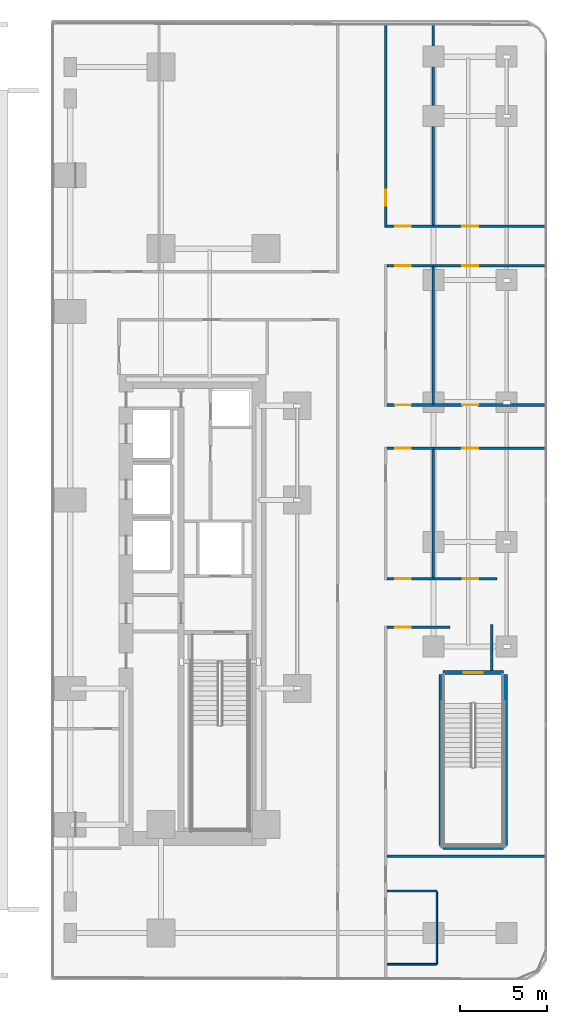
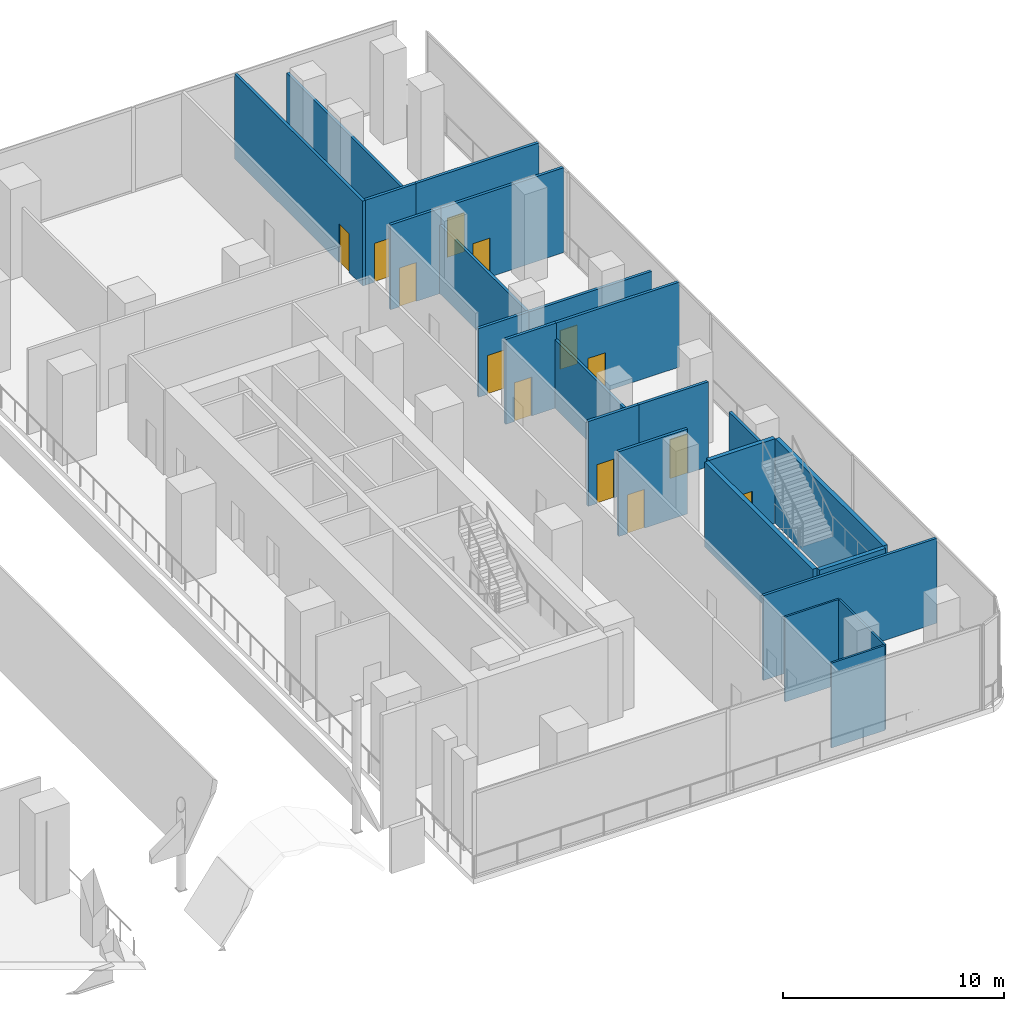
# One storey, part 12 of 31: 24 walls, 13 doors, 13 openings.
"""IFC4 building model written with IfcOpenShell, lengths in metres."""

from ifc_helpers import new_model, si_unit, direction, frame, frame_2d, origin, place, context, subcontext, project, spatial, rectangle, extrude, material, layer, layer_set, type_object, element, fill, save


model = new_model("IFC4")

# Units and contexts
model_context = context("Model", 3, precision=1e-05, world=origin(), true_north=direction((0.0, 1.0)))
body_context = subcontext(model_context, "Body", "Model", "MODEL_VIEW")
ifc_project = project(units=[si_unit("LENGTHUNIT", "METRE"), si_unit("AREAUNIT", "SQUARE_METRE"), si_unit("VOLUMEUNIT", "CUBIC_METRE"), si_unit("PLANEANGLEUNIT", "RADIAN"), si_unit("MASSUNIT", "GRAM", prefix="KILO")], contexts=[model_context])

# Site, building, storey
site_placement = place(None, origin())
site = spatial("IfcSite", under=ifc_project, at=site_placement, CompositionType="ELEMENT")
building_placement = place(site_placement, origin())
building = spatial("IfcBuilding", under=site, at=building_placement, Name="Khairoan Windgate Tower", CompositionType="ELEMENT")
storey_placement = place(building_placement, frame((0.0, 0.0, 11.0)))
storey = spatial("IfcBuildingStorey", under=building, at=storey_placement, Name="L03", CompositionType="ELEMENT", Elevation=11.0)

# Walls
ifc_material_1 = material(Name="Moisture-Resistant Gypsum Partition", Category="gypsum")
ifc_layer_1 = layer(ifc_material_1, 0.10009765625, Name="Moisture-Resistant Gypsum Partition")
ifc_layer_set_1 = layer_set([ifc_layer_1], Name="Moisture-Resistant Gypsum Partition")
wall_type_1 = type_object("IfcWallType", Name="Bathroom Wet-Area Partition Wall", PredefinedType="PARTITIONING", material=ifc_layer_set_1)
wall_1_placement = place(storey_placement, frame((27.35498046875, -22.39990234375, 0.0), z_axis=(0.0, 0.0, 1.0), x_axis=(1.0, 0.0, 0.0)))
element("IfcWall", 1, at=wall_1_placement, inside=storey, type_object=wall_type_1, Name="L03 Wet Room Side Wall 078", PredefinedType="PARTITIONING", context=body_context, shape_type="SweptSolid", body=[
    extrude(rectangle(XDim=2.844970703125, YDim=0.10009765625, at=frame_2d((1.42236328125, 0.0))), origin(), (0.0, 0.0, 1.0), 4.699951171875),
])
wall_2_placement = place(storey_placement, frame((30.199951171875, -22.449951171875, 0.0), z_axis=(0.0, 0.0, 1.0), x_axis=(0.0, -1.0, 0.0)))
element("IfcWall", 2, at=wall_2_placement, inside=storey, type_object=wall_type_1, Name="L03 Wet Room Side Wall 079", PredefinedType="PARTITIONING", context=body_context, shape_type="SweptSolid", body=[
    extrude(rectangle(XDim=4.150146484375, YDim=0.10009765625, at=frame_2d((2.0751953125, 0.0))), origin(), (0.0, 0.0, 1.0), 4.699951171875),
])
wall_3_placement = place(storey_placement, frame((30.14990234375, -26.60009765625, 0.0), z_axis=(0.0, 0.0, 1.0), x_axis=(-1.0, 0.0, 0.0)))
element("IfcWall", 3, at=wall_3_placement, inside=storey, type_object=wall_type_1, Name="L03 Wet Room Side Wall 080", PredefinedType="PARTITIONING", context=body_context, shape_type="SweptSolid", body=[
    extrude(rectangle(XDim=2.794921875, YDim=0.10009765625, at=frame_2d((1.3974609375, 0.0))), origin(), (0.0, 0.0, 1.0), 4.699951171875),
])
ifc_material_2 = material(Name="Acoustic Fire-Rated Gypsum Partition", Category="gypsum")
ifc_layer_2 = layer(ifc_material_2, 0.139892578125, Name="Acoustic Fire-Rated Gypsum Partition")
ifc_layer_set_2 = layer_set([ifc_layer_2], Name="Acoustic Fire-Rated Gypsum Partition")
wall_type_2 = type_object("IfcWallType", Name="Inter-Tenancy Compartment Wall", PredefinedType="PARTITIONING", material=ifc_layer_set_2)
wall_4_placement = place(storey_placement, frame((30.0, -4.445068359375, 0.0), z_axis=(0.0, 0.0, 1.0), x_axis=(0.0, 1.0, 0.0)))
element("IfcWall", 4, at=wall_4_placement, inside=storey, type_object=wall_type_2, Name="L03 Interior Partition 063", PredefinedType="PARTITIONING", context=body_context, shape_type="SweptSolid", body=[
    extrude(rectangle(XDim=7.330078125, YDim=0.139892578125, at=frame_2d((3.6650390625, 0.0))), origin(), (0.0, 0.0, 1.0), 3.800048828125),
])
wall_5_placement = place(storey_placement, frame((30.0, 5.514892578125, 0.0), z_axis=(0.0, 0.0, 1.0), x_axis=(0.0, 1.0, 0.0)))
element("IfcWall", 5, at=wall_5_placement, inside=storey, type_object=wall_type_2, Name="L03 Interior Partition 064", PredefinedType="PARTITIONING", context=body_context, shape_type="SweptSolid", body=[
    extrude(rectangle(XDim=7.830078125, YDim=0.139892578125, at=frame_2d((3.9150390625, 0.0))), origin(), (0.0, 0.0, 1.0), 3.800048828125),
])
wall_6_placement = place(storey_placement, frame((30.0, 15.7548828125, 0.0), z_axis=(0.0, 0.0, 1.0), x_axis=(0.0, 1.0, 0.0)))
element("IfcWall", 6, at=wall_6_placement, inside=storey, type_object=wall_type_2, Name="L03 Interior Partition 065", PredefinedType="PARTITIONING", context=body_context, shape_type="SweptSolid", body=[
    extrude(rectangle(XDim=11.485595703125, YDim=0.139892578125, at=frame_2d((5.74267578125, 0.0))), origin(), (0.0, 0.0, 1.0), 3.800048828125),
])
wall_7_placement = place(storey_placement, frame((27.35498046875, -20.419921875, 0.0), z_axis=(0.0, 0.0, 1.0), x_axis=(1.0, 0.0, 0.0)))
element("IfcWall", 7, at=wall_7_placement, inside=storey, type_object=wall_type_2, Name="L03 Interior Partition 073", PredefinedType="PARTITIONING", context=body_context, shape_type="SweptSolid", body=[
    extrude(rectangle(XDim=9.090087890625, YDim=0.139892578125, at=frame_2d((4.544921875, 0.0))), origin(), (0.0, 0.0, 1.0), 4.699951171875),
])

# Wall, opening, door
ifc_material_3 = material(Name="Acoustic Fire-Rated Gypsum Partition", Category="gypsum")
ifc_layer_3 = layer(ifc_material_3, 0.14990234375, Name="Acoustic Fire-Rated Gypsum Partition")
ifc_layer_set_3 = layer_set([ifc_layer_3], Name="Acoustic Fire-Rated Gypsum Partition")
wall_type_3 = type_object("IfcWallType", Name="Rated Corridor Partition Wall", PredefinedType="PARTITIONING", material=ifc_layer_set_3)
wall_8_placement = place(storey_placement, frame((27.280029296875, 15.60498046875, 0.0), z_axis=(0.0, 0.0, 1.0), x_axis=(0.0, 1.0, 0.0)))
wall_8 = element("IfcWall", 8, at=wall_8_placement, inside=storey, type_object=wall_type_3, Name="L03 Interior Partition 046", PredefinedType="PARTITIONING", context=body_context, shape_type="SweptSolid", body=[
    extrude(rectangle(XDim=11.64404296875, YDim=0.14990234375, at=frame_2d((5.822021484375, 0.0))), origin(), (0.0, 0.0, 1.0), 4.699951171875),
])
opening_1_placement = place(wall_8_placement, frame((1.261962890625, 0.0, 0.0)))
opening_1 = element("IfcOpeningElement", 9, at=opening_1_placement, cuts=wall_8, Name="Opening FD-ENT", PredefinedType="OPENING", context=body_context, shape_type="SweptSolid", body=[
    extrude(rectangle(XDim=0.89990234375, YDim=2.14990234375, at=frame_2d((0.449951171875, 1.074951171875))), frame((0.0, 0.0849609375, 0.0), z_axis=(0.0, -1.0, 0.0), x_axis=(1.0, 0.0, 0.0)), (0.0, 0.0, 1.0), 0.169921875),
])
ifc_material_4 = material(Name="Timber Fire-Rated Core", Category="wood")
door_type_1 = type_object("IfcDoorType", Name="Unit and Office Fire Entrance Door FD-ENT 900x2150", OperationType="NOTDEFINED", PredefinedType="DOOR", material=ifc_material_4)
door_1_placement = place(opening_1_placement, origin())
door_1 = element("IfcDoor", 10, at=door_1_placement, inside=storey, type_object=door_type_1, Name="L03 L03-40-L03-67 Door", OperationType="SINGLE_SWING_RIGHT", OverallHeight=2.14990234375, OverallWidth=0.89990234375, PredefinedType="DOOR", context=body_context, shape_type="SweptSolid", body=[
    extrude(rectangle(XDim=0.89990234375, YDim=2.14990234375, at=frame_2d((0.449951171875, 1.074951171875))), frame((0.0, 0.02490234375, 0.0), z_axis=(0.0, -1.0, 0.0), x_axis=(1.0, 0.0, 0.0)), (0.0, 0.0, 1.0), 0.050048828125),
])
fill(opening_1, door_1)

wall_9_placement = place(storey_placement, frame((27.35498046875, 2.9599609375, 0.0), z_axis=(0.0, 0.0, 1.0), x_axis=(1.0, 0.0, 0.0)))
wall_9 = element("IfcWall", 11, at=wall_9_placement, inside=storey, type_object=wall_type_3, Name="L03 Interior Partition 047", PredefinedType="PARTITIONING", context=body_context, shape_type="SweptSolid", body=[
    extrude(rectangle(XDim=2.64501953125, YDim=0.14990234375, at=frame_2d((1.322509765625, 0.0))), origin(), (0.0, 0.0, 1.0), 4.699951171875),
])
opening_2_placement = place(wall_9_placement, frame((0.4599609375, 0.0, 0.0)))
opening_2 = element("IfcOpeningElement", 12, at=opening_2_placement, cuts=wall_9, Name="Opening FD-ENT", PredefinedType="OPENING", context=body_context, shape_type="SweptSolid", body=[
    extrude(rectangle(XDim=0.89990234375, YDim=2.14990234375, at=frame_2d((0.449951171875, 1.074951171875))), frame((0.0, 0.0849609375, 0.0), z_axis=(0.0, -1.0, 0.0), x_axis=(1.0, 0.0, 0.0)), (0.0, 0.0, 1.0), 0.169921875),
])
door_2_placement = place(opening_2_placement, origin())
door_2 = element("IfcDoor", 13, at=door_2_placement, inside=storey, type_object=door_type_1, Name="L03 L03-41-L03-46 Door", OperationType="SINGLE_SWING_LEFT", OverallHeight=2.14990234375, OverallWidth=0.89990234375, PredefinedType="DOOR", context=body_context, shape_type="SweptSolid", body=[
    extrude(rectangle(XDim=0.89990234375, YDim=2.14990234375, at=frame_2d((0.449951171875, 1.074951171875))), frame((0.0, 0.02490234375, 0.0), z_axis=(0.0, -1.0, 0.0), x_axis=(1.0, 0.0, 0.0)), (0.0, 0.0, 1.0), 0.050048828125),
])
fill(opening_2, door_2)

wall_10_placement = place(storey_placement, frame((30.0, 2.9599609375, 0.0), z_axis=(0.0, 0.0, 1.0), x_axis=(1.0, 0.0, 0.0)))
wall_10 = element("IfcWall", 14, at=wall_10_placement, inside=storey, type_object=wall_type_3, Name="L03 Interior Partition 048", PredefinedType="PARTITIONING", context=body_context, shape_type="SweptSolid", body=[
    extrude(rectangle(XDim=6.445068359375, YDim=0.14990234375, at=frame_2d((3.22265625, 0.0))), origin(), (0.0, 0.0, 1.0), 4.699951171875),
])
opening_3_placement = place(wall_10_placement, frame((1.66650390625, 0.0, 0.0)))
opening_3 = element("IfcOpeningElement", 15, at=opening_3_placement, cuts=wall_10, Name="Opening FD-ENT", PredefinedType="OPENING", context=body_context, shape_type="SweptSolid", body=[
    extrude(rectangle(XDim=0.89990234375, YDim=2.14990234375, at=frame_2d((0.449951171875, 1.074951171875))), frame((0.0, 0.0849609375, 0.0), z_axis=(0.0, -1.0, 0.0), x_axis=(1.0, 0.0, 0.0)), (0.0, 0.0, 1.0), 0.169921875),
])
door_3_placement = place(opening_3_placement, origin())
door_3 = element("IfcDoor", 16, at=door_3_placement, inside=storey, type_object=door_type_1, Name="L03 L03-41-L03-47 Door", OperationType="SINGLE_SWING_RIGHT", OverallHeight=2.14990234375, OverallWidth=0.89990234375, PredefinedType="DOOR", context=body_context, shape_type="SweptSolid", body=[
    extrude(rectangle(XDim=0.89990234375, YDim=2.14990234375, at=frame_2d((0.449951171875, 1.074951171875))), frame((0.0, 0.02490234375, 0.0), z_axis=(0.0, -1.0, 0.0), x_axis=(1.0, 0.0, 0.0)), (0.0, 0.0, 1.0), 0.050048828125),
])
fill(opening_3, door_3)

wall_11_placement = place(storey_placement, frame((27.35498046875, 5.43994140625, 0.0), z_axis=(0.0, 0.0, 1.0), x_axis=(1.0, 0.0, 0.0)))
wall_11 = element("IfcWall", 17, at=wall_11_placement, inside=storey, type_object=wall_type_3, Name="L03 Interior Partition 049", PredefinedType="PARTITIONING", context=body_context, shape_type="SweptSolid", body=[
    extrude(rectangle(XDim=2.64501953125, YDim=0.14990234375, at=frame_2d((1.322509765625, 0.0))), origin(), (0.0, 0.0, 1.0), 3.800048828125),
])
opening_4_placement = place(wall_11_placement, frame((0.4599609375, 0.0, 0.0)))
opening_4 = element("IfcOpeningElement", 18, at=opening_4_placement, cuts=wall_11, Name="Opening FD-ENT", PredefinedType="OPENING", context=body_context, shape_type="SweptSolid", body=[
    extrude(rectangle(XDim=0.89990234375, YDim=2.14990234375, at=frame_2d((0.449951171875, 1.074951171875))), frame((0.0, 0.0849609375, 0.0), z_axis=(0.0, -1.0, 0.0), x_axis=(1.0, 0.0, 0.0)), (0.0, 0.0, 1.0), 0.169921875),
])
door_4_placement = place(opening_4_placement, origin())
door_4 = element("IfcDoor", 19, at=door_4_placement, inside=storey, type_object=door_type_1, Name="L03 L03-41-L03-48 Door", OperationType="SINGLE_SWING_LEFT", OverallHeight=2.14990234375, OverallWidth=0.89990234375, PredefinedType="DOOR", context=body_context, shape_type="SweptSolid", body=[
    extrude(rectangle(XDim=0.89990234375, YDim=2.14990234375, at=frame_2d((0.449951171875, 1.074951171875))), frame((0.0, 0.02490234375, 0.0), z_axis=(0.0, -1.0, 0.0), x_axis=(1.0, 0.0, 0.0)), (0.0, 0.0, 1.0), 0.050048828125),
])
fill(opening_4, door_4)

wall_12_placement = place(storey_placement, frame((30.0, 5.43994140625, 0.0), z_axis=(0.0, 0.0, 1.0), x_axis=(1.0, 0.0, 0.0)))
wall_12 = element("IfcWall", 20, at=wall_12_placement, inside=storey, type_object=wall_type_3, Name="L03 Interior Partition 050", PredefinedType="PARTITIONING", context=body_context, shape_type="SweptSolid", body=[
    extrude(rectangle(XDim=6.445068359375, YDim=0.14990234375, at=frame_2d((3.22265625, 0.0))), origin(), (0.0, 0.0, 1.0), 3.800048828125),
])
opening_5_placement = place(wall_12_placement, frame((1.66650390625, 0.0, 0.0)))
opening_5 = element("IfcOpeningElement", 21, at=opening_5_placement, cuts=wall_12, Name="Opening FD-ENT", PredefinedType="OPENING", context=body_context, shape_type="SweptSolid", body=[
    extrude(rectangle(XDim=0.89990234375, YDim=2.14990234375, at=frame_2d((0.449951171875, 1.074951171875))), frame((0.0, 0.0849609375, 0.0), z_axis=(0.0, -1.0, 0.0), x_axis=(1.0, 0.0, 0.0)), (0.0, 0.0, 1.0), 0.169921875),
])
door_5_placement = place(opening_5_placement, origin())
door_5 = element("IfcDoor", 22, at=door_5_placement, inside=storey, type_object=door_type_1, Name="L03 L03-41-L03-49 Door", OperationType="SINGLE_SWING_RIGHT", OverallHeight=2.14990234375, OverallWidth=0.89990234375, PredefinedType="DOOR", context=body_context, shape_type="SweptSolid", body=[
    extrude(rectangle(XDim=0.89990234375, YDim=2.14990234375, at=frame_2d((0.449951171875, 1.074951171875))), frame((0.0, 0.02490234375, 0.0), z_axis=(0.0, -1.0, 0.0), x_axis=(1.0, 0.0, 0.0)), (0.0, 0.0, 1.0), 0.050048828125),
])
fill(opening_5, door_5)

wall_13_placement = place(storey_placement, frame((27.35498046875, 13.419921875, 0.0), z_axis=(0.0, 0.0, 1.0), x_axis=(1.0, 0.0, 0.0)))
wall_13 = element("IfcWall", 23, at=wall_13_placement, inside=storey, type_object=wall_type_3, Name="L03 Interior Partition 051", PredefinedType="PARTITIONING", context=body_context, shape_type="SweptSolid", body=[
    extrude(rectangle(XDim=2.64501953125, YDim=0.14990234375, at=frame_2d((1.322509765625, 0.0))), origin(), (0.0, 0.0, 1.0), 4.699951171875),
])
opening_6_placement = place(wall_13_placement, frame((0.4599609375, 0.0, 0.0)))
opening_6 = element("IfcOpeningElement", 24, at=opening_6_placement, cuts=wall_13, Name="Opening FD-ENT", PredefinedType="OPENING", context=body_context, shape_type="SweptSolid", body=[
    extrude(rectangle(XDim=0.89990234375, YDim=2.14990234375, at=frame_2d((0.449951171875, 1.074951171875))), frame((0.0, 0.0849609375, 0.0), z_axis=(0.0, -1.0, 0.0), x_axis=(1.0, 0.0, 0.0)), (0.0, 0.0, 1.0), 0.169921875),
])
door_6_placement = place(opening_6_placement, origin())
door_6 = element("IfcDoor", 25, at=door_6_placement, inside=storey, type_object=door_type_1, Name="L03 L03-42-L03-48 Door", OperationType="SINGLE_SWING_LEFT", OverallHeight=2.14990234375, OverallWidth=0.89990234375, PredefinedType="DOOR", context=body_context, shape_type="SweptSolid", body=[
    extrude(rectangle(XDim=0.89990234375, YDim=2.14990234375, at=frame_2d((0.449951171875, 1.074951171875))), frame((0.0, 0.02490234375, 0.0), z_axis=(0.0, -1.0, 0.0), x_axis=(1.0, 0.0, 0.0)), (0.0, 0.0, 1.0), 0.050048828125),
])
fill(opening_6, door_6)

wall_14_placement = place(storey_placement, frame((30.0, 13.419921875, 0.0), z_axis=(0.0, 0.0, 1.0), x_axis=(1.0, 0.0, 0.0)))
wall_14 = element("IfcWall", 26, at=wall_14_placement, inside=storey, type_object=wall_type_3, Name="L03 Interior Partition 052", PredefinedType="PARTITIONING", context=body_context, shape_type="SweptSolid", body=[
    extrude(rectangle(XDim=6.445068359375, YDim=0.14990234375, at=frame_2d((3.22265625, 0.0))), origin(), (0.0, 0.0, 1.0), 4.699951171875),
])
opening_7_placement = place(wall_14_placement, frame((1.66650390625, 0.0, 0.0)))
opening_7 = element("IfcOpeningElement", 27, at=opening_7_placement, cuts=wall_14, Name="Opening FD-ENT", PredefinedType="OPENING", context=body_context, shape_type="SweptSolid", body=[
    extrude(rectangle(XDim=0.89990234375, YDim=2.14990234375, at=frame_2d((0.449951171875, 1.074951171875))), frame((0.0, 0.0849609375, 0.0), z_axis=(0.0, -1.0, 0.0), x_axis=(1.0, 0.0, 0.0)), (0.0, 0.0, 1.0), 0.169921875),
])
door_7_placement = place(opening_7_placement, origin())
door_7 = element("IfcDoor", 28, at=door_7_placement, inside=storey, type_object=door_type_1, Name="L03 L03-42-L03-49 Door", OperationType="SINGLE_SWING_RIGHT", OverallHeight=2.14990234375, OverallWidth=0.89990234375, PredefinedType="DOOR", context=body_context, shape_type="SweptSolid", body=[
    extrude(rectangle(XDim=0.89990234375, YDim=2.14990234375, at=frame_2d((0.449951171875, 1.074951171875))), frame((0.0, 0.02490234375, 0.0), z_axis=(0.0, -1.0, 0.0), x_axis=(1.0, 0.0, 0.0)), (0.0, 0.0, 1.0), 0.050048828125),
])
fill(opening_7, door_7)

wall_15_placement = place(storey_placement, frame((30.0, 15.679931640625, 0.0), z_axis=(0.0, 0.0, 1.0), x_axis=(1.0, 0.0, 0.0)))
wall_15 = element("IfcWall", 29, at=wall_15_placement, inside=storey, type_object=wall_type_3, Name="L03 Interior Partition 053", PredefinedType="PARTITIONING", context=body_context, shape_type="SweptSolid", body=[
    extrude(rectangle(XDim=6.445068359375, YDim=0.14990234375, at=frame_2d((3.22265625, 0.0))), origin(), (0.0, 0.0, 1.0), 4.699951171875),
])
opening_8_placement = place(wall_15_placement, frame((1.66650390625, 0.0, 0.0)))
opening_8 = element("IfcOpeningElement", 30, at=opening_8_placement, cuts=wall_15, Name="Opening FD-ENT", PredefinedType="OPENING", context=body_context, shape_type="SweptSolid", body=[
    extrude(rectangle(XDim=0.89990234375, YDim=2.14990234375, at=frame_2d((0.449951171875, 1.074951171875))), frame((0.0, 0.0849609375, 0.0), z_axis=(0.0, -1.0, 0.0), x_axis=(1.0, 0.0, 0.0)), (0.0, 0.0, 1.0), 0.169921875),
])
door_8_placement = place(opening_8_placement, origin())
door_8 = element("IfcDoor", 31, at=door_8_placement, inside=storey, type_object=door_type_1, Name="L03 L03-42-L03-50 Door", OperationType="SINGLE_SWING_LEFT", OverallHeight=2.14990234375, OverallWidth=0.89990234375, PredefinedType="DOOR", context=body_context, shape_type="SweptSolid", body=[
    extrude(rectangle(XDim=0.89990234375, YDim=2.14990234375, at=frame_2d((0.449951171875, 1.074951171875))), frame((0.0, 0.02490234375, 0.0), z_axis=(0.0, -1.0, 0.0), x_axis=(1.0, 0.0, 0.0)), (0.0, 0.0, 1.0), 0.050048828125),
])
fill(opening_8, door_8)

wall_16_placement = place(storey_placement, frame((27.35498046875, 15.679931640625, 0.0), z_axis=(0.0, 0.0, 1.0), x_axis=(1.0, 0.0, 0.0)))
wall_16 = element("IfcWall", 32, at=wall_16_placement, inside=storey, type_object=wall_type_3, Name="L03 Interior Partition 054", PredefinedType="PARTITIONING", context=body_context, shape_type="SweptSolid", body=[
    extrude(rectangle(XDim=2.64501953125, YDim=0.14990234375, at=frame_2d((1.322509765625, 0.0))), origin(), (0.0, 0.0, 1.0), 4.699951171875),
])
opening_9_placement = place(wall_16_placement, frame((0.4599609375, 0.0, 0.0)))
opening_9 = element("IfcOpeningElement", 33, at=opening_9_placement, cuts=wall_16, Name="Opening FD-ENT", PredefinedType="OPENING", context=body_context, shape_type="SweptSolid", body=[
    extrude(rectangle(XDim=0.89990234375, YDim=2.14990234375, at=frame_2d((0.449951171875, 1.074951171875))), frame((0.0, 0.0849609375, 0.0), z_axis=(0.0, -1.0, 0.0), x_axis=(1.0, 0.0, 0.0)), (0.0, 0.0, 1.0), 0.169921875),
])
door_9_placement = place(opening_9_placement, origin())
door_9 = element("IfcDoor", 34, at=door_9_placement, inside=storey, type_object=door_type_1, Name="L03 L03-42-L03-67 Door", OperationType="SINGLE_SWING_RIGHT", OverallHeight=2.14990234375, OverallWidth=0.89990234375, PredefinedType="DOOR", context=body_context, shape_type="SweptSolid", body=[
    extrude(rectangle(XDim=0.89990234375, YDim=2.14990234375, at=frame_2d((0.449951171875, 1.074951171875))), frame((0.0, 0.02490234375, 0.0), z_axis=(0.0, -1.0, 0.0), x_axis=(1.0, 0.0, 0.0)), (0.0, 0.0, 1.0), 0.050048828125),
])
fill(opening_9, door_9)

wall_17_placement = place(storey_placement, frame((27.35498046875, -4.52001953125, 0.0), z_axis=(0.0, 0.0, 1.0), x_axis=(1.0, 0.0, 0.0)))
wall_17 = element("IfcWall", 35, at=wall_17_placement, inside=storey, type_object=wall_type_3, Name="L03 Interior Partition 059", PredefinedType="PARTITIONING", context=body_context, shape_type="SweptSolid", body=[
    extrude(rectangle(XDim=2.64501953125, YDim=0.14990234375, at=frame_2d((1.322509765625, 0.0))), origin(), (0.0, 0.0, 1.0), 4.699951171875),
])
opening_10_placement = place(wall_17_placement, frame((0.4599609375, 0.0, 0.0)))
opening_10 = element("IfcOpeningElement", 36, at=opening_10_placement, cuts=wall_17, Name="Opening FD-ENT", PredefinedType="OPENING", context=body_context, shape_type="SweptSolid", body=[
    extrude(rectangle(XDim=0.89990234375, YDim=2.14990234375, at=frame_2d((0.449951171875, 1.074951171875))), frame((0.0, 0.0849609375, 0.0), z_axis=(0.0, -1.0, 0.0), x_axis=(1.0, 0.0, 0.0)), (0.0, 0.0, 1.0), 0.169921875),
])
door_10_placement = place(opening_10_placement, origin())
door_10 = element("IfcDoor", 37, at=door_10_placement, inside=storey, type_object=door_type_1, Name="L03 L03-44-L03-46 Door", OperationType="SINGLE_SWING_LEFT", OverallHeight=2.14990234375, OverallWidth=0.89990234375, PredefinedType="DOOR", context=body_context, shape_type="SweptSolid", body=[
    extrude(rectangle(XDim=0.89990234375, YDim=2.14990234375, at=frame_2d((0.449951171875, 1.074951171875))), frame((0.0, 0.02490234375, 0.0), z_axis=(0.0, -1.0, 0.0), x_axis=(1.0, 0.0, 0.0)), (0.0, 0.0, 1.0), 0.050048828125),
])
fill(opening_10, door_10)

wall_18_placement = place(storey_placement, frame((30.0, -4.52001953125, 0.0), z_axis=(0.0, 0.0, 1.0), x_axis=(1.0, 0.0, 0.0)))
wall_18 = element("IfcWall", 38, at=wall_18_placement, inside=storey, type_object=wall_type_3, Name="L03 Interior Partition 060", PredefinedType="PARTITIONING", context=body_context, shape_type="SweptSolid", body=[
    extrude(rectangle(XDim=3.639892578125, YDim=0.14990234375, at=frame_2d((1.81982421875, 0.0))), origin(), (0.0, 0.0, 1.0), 4.699951171875),
])
opening_11_placement = place(wall_18_placement, frame((1.67333984375, 0.0, 0.0)))
opening_11 = element("IfcOpeningElement", 39, at=opening_11_placement, cuts=wall_18, Name="Opening FD-ENT", PredefinedType="OPENING", context=body_context, shape_type="SweptSolid", body=[
    extrude(rectangle(XDim=0.89990234375, YDim=2.14990234375, at=frame_2d((0.449951171875, 1.074951171875))), frame((0.0, 0.0849609375, 0.0), z_axis=(0.0, -1.0, 0.0), x_axis=(1.0, 0.0, 0.0)), (0.0, 0.0, 1.0), 0.169921875),
])
door_11_placement = place(opening_11_placement, origin())
door_11 = element("IfcDoor", 40, at=door_11_placement, inside=storey, type_object=door_type_1, Name="L03 L03-44-L03-47 Door", OperationType="SINGLE_SWING_RIGHT", OverallHeight=2.14990234375, OverallWidth=0.89990234375, PredefinedType="DOOR", context=body_context, shape_type="SweptSolid", body=[
    extrude(rectangle(XDim=0.89990234375, YDim=2.14990234375, at=frame_2d((0.449951171875, 1.074951171875))), frame((0.0, 0.02490234375, 0.0), z_axis=(0.0, -1.0, 0.0), x_axis=(1.0, 0.0, 0.0)), (0.0, 0.0, 1.0), 0.050048828125),
])
fill(opening_11, door_11)

wall_19_placement = place(storey_placement, frame((27.35498046875, -7.280029296875, 0.0), z_axis=(0.0, 0.0, 1.0), x_axis=(1.0, 0.0, 0.0)))
wall_19 = element("IfcWall", 41, at=wall_19_placement, inside=storey, type_object=wall_type_3, Name="L03 Interior Partition 061", PredefinedType="PARTITIONING", context=body_context, shape_type="SweptSolid", body=[
    extrude(rectangle(XDim=3.60498046875, YDim=0.14990234375, at=frame_2d((1.802490234375, 0.0))), origin(), (0.0, 0.0, 1.0), 4.699951171875),
])
opening_12_placement = place(wall_19_placement, frame((0.4599609375, 0.0, 0.0)))
opening_12 = element("IfcOpeningElement", 42, at=opening_12_placement, cuts=wall_19, Name="Opening FD-ENT", PredefinedType="OPENING", context=body_context, shape_type="SweptSolid", body=[
    extrude(rectangle(XDim=0.89990234375, YDim=2.14990234375, at=frame_2d((0.449951171875, 1.074951171875))), frame((0.0, 0.0849609375, 0.0), z_axis=(0.0, -1.0, 0.0), x_axis=(1.0, 0.0, 0.0)), (0.0, 0.0, 1.0), 0.169921875),
])
door_12_placement = place(opening_12_placement, origin())
door_12 = element("IfcDoor", 43, at=door_12_placement, inside=storey, type_object=door_type_1, Name="L03 L03-44-L03-61 Door", OperationType="SINGLE_SWING_LEFT", OverallHeight=2.14990234375, OverallWidth=0.89990234375, PredefinedType="DOOR", context=body_context, shape_type="SweptSolid", body=[
    extrude(rectangle(XDim=0.89990234375, YDim=2.14990234375, at=frame_2d((0.449951171875, 1.074951171875))), frame((0.0, 0.02490234375, 0.0), z_axis=(0.0, -1.0, 0.0), x_axis=(1.0, 0.0, 0.0)), (0.0, 0.0, 1.0), 0.050048828125),
])
fill(opening_12, door_12)

# Wall
wall_20_placement = place(storey_placement, frame((33.3330078125, -9.780029296875, 0.0), z_axis=(0.0, 0.0, 1.0), x_axis=(0.0, 1.0, 0.0)))
element("IfcWall", 44, at=wall_20_placement, inside=storey, type_object=wall_type_3, Name="L03 Interior Partition 062", PredefinedType="PARTITIONING", context=body_context, shape_type="SweptSolid", body=[
    extrude(rectangle(XDim=2.659912109375, YDim=0.14990234375, at=frame_2d((1.330078125, 0.0))), origin(), (0.0, 0.0, 1.0), 4.699951171875),
])

# Wall, opening, door
ifc_material_5 = material(Name="Concrete C50/60", Category="concrete")
ifc_layer_4 = layer(ifc_material_5, 0.219970703125, Name="Concrete C50/60")
ifc_layer_set_4 = layer_set([ifc_layer_4], Name="Concrete C50/60")
wall_type_4 = type_object("IfcWallType", Name="Shear Wall SW-ST 220mm", PredefinedType="SHEAR", material=ifc_layer_set_4)
wall_21_placement = place(storey_placement, frame((34.02001953125, -9.889892578125, 0.0), z_axis=(0.0, 0.0, 1.0), x_axis=(-1.0, 0.0, 0.0)))
wall_21 = element("IfcWall", 45, at=wall_21_placement, inside=storey, type_object=wall_type_4, Name="L03 ST3 North Bearing Wall", PredefinedType="SHEAR", context=body_context, shape_type="SweptSolid", body=[
    extrude(rectangle(XDim=3.469970703125, YDim=0.219970703125, at=frame_2d((1.73486328125, 0.0))), origin(), (0.0, 0.0, 1.0), 4.699951171875),
])
opening_13_placement = place(wall_21_placement, frame((1.179931640625, 0.0, 0.0)))
opening_13 = element("IfcOpeningElement", 46, at=opening_13_placement, cuts=wall_21, Name="Opening FD-ST", PredefinedType="OPENING", context=body_context, shape_type="SweptSolid", body=[
    extrude(rectangle(XDim=1.10009765625, YDim=2.199951171875, at=frame_2d((0.550048828125, 1.10009765625))), frame((0.0, 0.119873046875, 0.0), z_axis=(0.0, -1.0, 0.0), x_axis=(1.0, 0.0, 0.0)), (0.0, 0.0, 1.0), 0.239990234375),
])
ifc_material_6 = material(Name="Steel S355", Category="steel")
door_type_2 = type_object("IfcDoorType", Name="Smokeproof Stair Fire Door FD-ST 1100x2200", OperationType="NOTDEFINED", PredefinedType="DOOR", material=ifc_material_6)
door_13_placement = place(opening_13_placement, origin())
door_13 = element("IfcDoor", 47, at=door_13_placement, inside=storey, type_object=door_type_2, Name="L03 Stair ST3 Fire Door", OperationType="SINGLE_SWING_LEFT", OverallHeight=2.199951171875, OverallWidth=1.10009765625, PredefinedType="DOOR", context=body_context, shape_type="SweptSolid", body=[
    extrude(rectangle(XDim=1.10009765625, YDim=2.199951171875, at=frame_2d((0.550048828125, 1.10009765625))), frame((0.0, 0.02490234375, 0.0), z_axis=(0.0, -1.0, 0.0), x_axis=(1.0, 0.0, 0.0)), (0.0, 0.0, 1.0), 0.050048828125),
])
fill(opening_13, door_13)

# Walls
wall_22_placement = place(storey_placement, frame((30.550048828125, -19.909912109375, 0.0), z_axis=(0.0, 0.0, 1.0), x_axis=(1.0, 0.0, 0.0)))
element("IfcWall", 48, at=wall_22_placement, inside=storey, type_object=wall_type_4, Name="L03 ST3 South Bearing Wall", PredefinedType="SHEAR", context=body_context, shape_type="SweptSolid", body=[
    extrude(rectangle(XDim=3.469970703125, YDim=0.219970703125, at=frame_2d((1.73486328125, 0.0))), origin(), (0.0, 0.0, 1.0), 4.699951171875),
])
for number, where, z_axis, x_axis, name in (
    (49, (30.43994140625, -19.800048828125, 0.0), (0.0, 0.0, 1.0), (0.0, 1.0, 0.0), "L03 ST3 West Bearing Wall"),
    (50, (34.1298828125, -19.800048828125, 0.0), (0.0, 0.0, 1.0), (0.0, 1.0, 0.0), "L03 ST3 East Bearing Wall"),
):
    element("IfcWall", number, at=place(storey_placement, frame(where, z_axis=z_axis, x_axis=x_axis)), inside=storey, type_object=wall_type_4, Name=name, PredefinedType="SHEAR", context=body_context, shape_type="SweptSolid", body=[
        extrude(rectangle(XDim=9.800048828125, YDim=0.219970703125, at=frame_2d((4.89990234375, 0.0))), origin(), (0.0, 0.0, 1.0), 4.699951171875),
    ])

save(model, "model.ifc")
